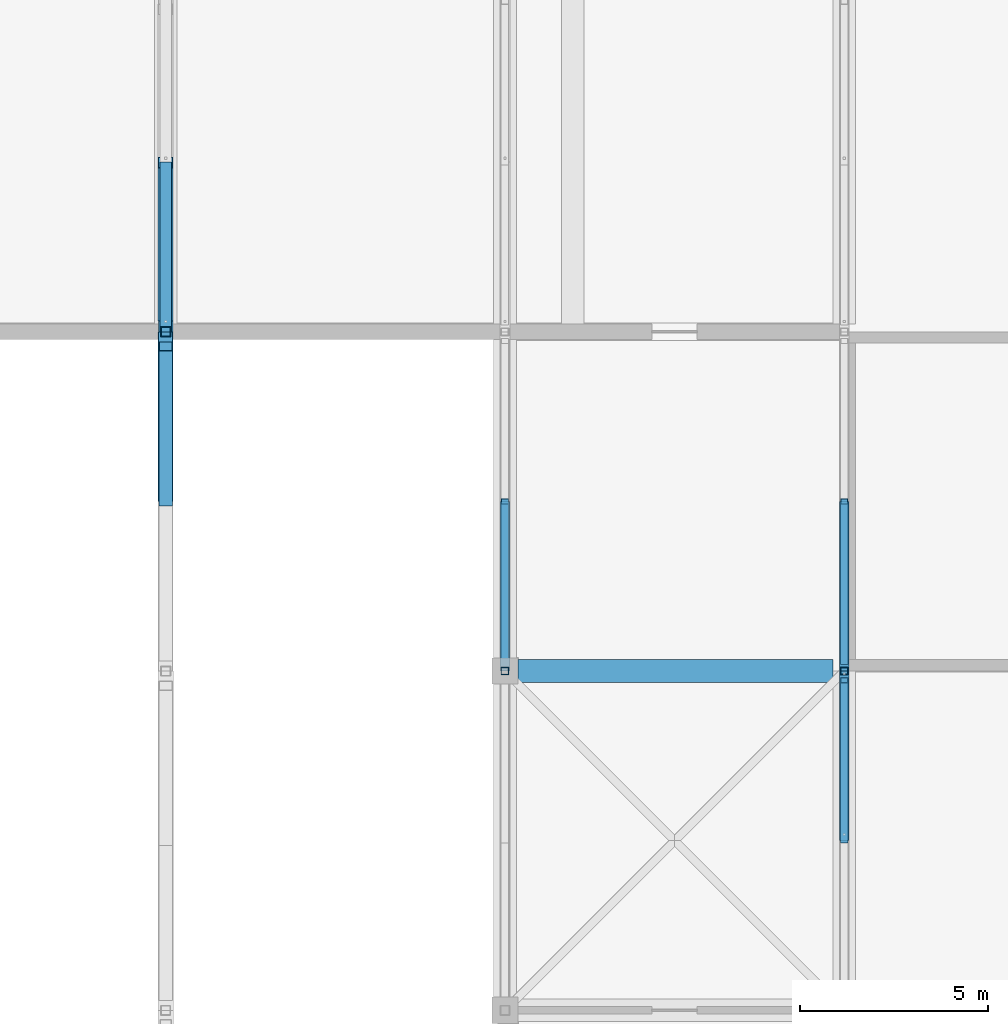
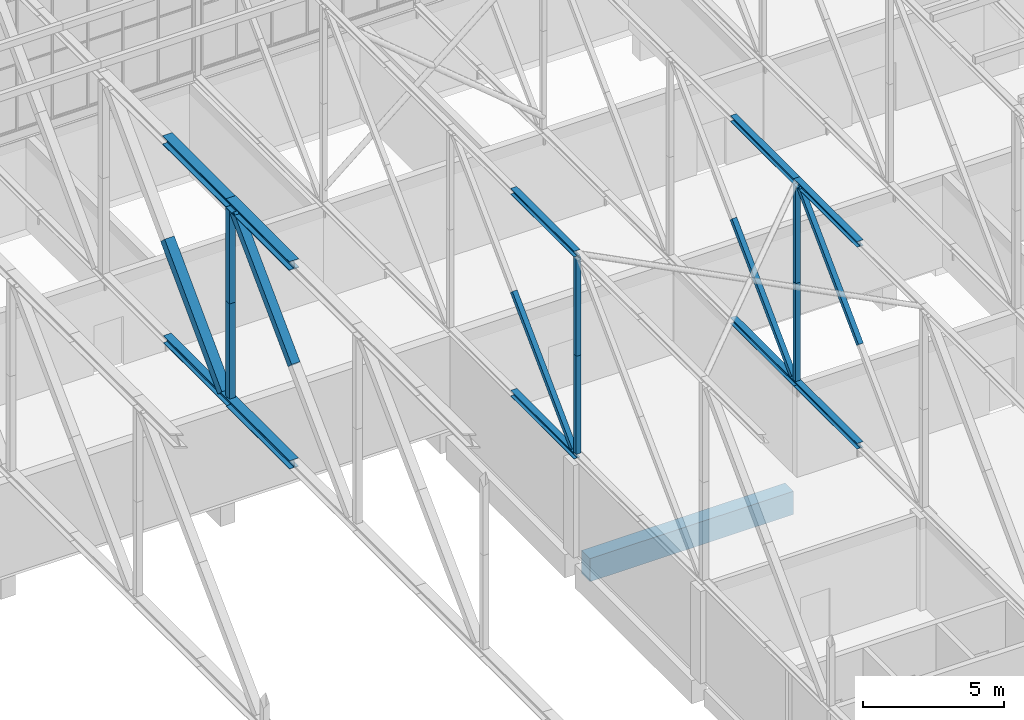
# One storey, part 79 of 646: 21 members, 1 beam.
"""IFC4 building model written with IfcOpenShell, lengths in metres."""

from ifc_helpers import new_model, si_unit, direction, frame, origin, origin_2d, place, context, subcontext, project, spatial, rectangle, hollow_rectangle, i_section, extrude, material, material_profile, profile_set, type_object, element, save


model = new_model("IFC4")

# Units and contexts
model_context = context("Model", 3, precision=1e-05, world=origin(), true_north=direction((0.0, 1.0)))
body_context = subcontext(model_context, "Body", "Model", "MODEL_VIEW")
ifc_project = project(units=[si_unit("LENGTHUNIT", "METRE"), si_unit("AREAUNIT", "SQUARE_METRE"), si_unit("VOLUMEUNIT", "CUBIC_METRE"), si_unit("PLANEANGLEUNIT", "RADIAN"), si_unit("MASSUNIT", "GRAM", prefix="KILO")], contexts=[model_context])

# Site, building, storey
site_placement = place(None, origin())
site = spatial("IfcSite", under=ifc_project, at=site_placement, CompositionType="ELEMENT")
building_placement = place(site_placement, origin())
building = spatial("IfcBuilding", under=site, at=building_placement, Name="Silverbay Arena", CompositionType="ELEMENT")
storey_placement = place(building_placement, frame((0.0, 0.0, 33.5)))
storey = spatial("IfcBuildingStorey", under=building, at=storey_placement, Name="L05", CompositionType="ELEMENT", Elevation=33.5)

# Members
ifc_material_1 = material(Name="Steel S355", Category="steel")
ifc_material_profile_1 = material_profile(ifc_material_1, i_section(OverallWidth=0.311279296875, OverallDepth=0.3271484375, WebThickness=0.015869140625, FlangeThickness=0.02490234375, at=origin_2d()), Name="UC 305x305x158")
ifc_profile_set_1 = profile_set([ifc_material_profile_1], Name="Steel S355")
member_type_1 = type_object("IfcMemberType", Name="Main-span bottom chord UC 305x305x158", PredefinedType="CHORD", material=ifc_profile_set_1)
member_1_placement = place(storey_placement, frame((153.0, 126.0, 4.16357421875), z_axis=(0.0, 1.0, 0.0), x_axis=(-1.0, 0.0, 0.0)))
element("IfcMember", 1, at=member_1_placement, inside=storey, type_object=member_type_1, Name="ROOF TRUSS 18 bottom chord 14a", PredefinedType="CHORD", context=body_context, shape_type="SweptSolid", body=[
    extrude(i_section(OverallWidth=0.311279296875, OverallDepth=0.3271484375, WebThickness=0.015869140625, FlangeThickness=0.02490234375, at=origin_2d()), origin(), (0.0, 0.0, 1.0), 4.5),
])
ifc_material_2 = material(Name="Steel S355", Category="steel")
ifc_material_profile_2 = material_profile(ifc_material_2, i_section(OverallWidth=0.37255859375, OverallDepth=0.3681640625, WebThickness=0.014404296875, FlangeThickness=0.023681640625, at=origin_2d()), Name="UC 356x368x177")
ifc_profile_set_2 = profile_set([ifc_material_profile_2], Name="Steel S355")
member_type_2 = type_object("IfcMemberType", Name="Main-span bottom chord UC 356x368x177", PredefinedType="CHORD", material=ifc_profile_set_2)
member_2_placement = place(storey_placement, frame((153.0, 121.5, 4.18408203125), z_axis=(0.0, 1.0, 0.0), x_axis=(-1.0, 0.0, 0.0)))
element("IfcMember", 2, at=member_2_placement, inside=storey, type_object=member_type_2, Name="ROOF TRUSS 18 bottom chord 13b", PredefinedType="CHORD", context=body_context, shape_type="SweptSolid", body=[
    extrude(i_section(OverallWidth=0.37255859375, OverallDepth=0.3681640625, WebThickness=0.014404296875, FlangeThickness=0.023681640625, at=origin_2d()), origin(), (0.0, 0.0, 1.0), 4.5),
])
ifc_material_3 = material(Name="Steel S355", Category="steel")
ifc_material_profile_3 = material_profile(ifc_material_3, i_section(OverallWidth=0.394775390625, OverallDepth=0.381103515625, WebThickness=0.018310546875, FlangeThickness=0.0302734375, at=origin_2d()), Name="UC 356x406x235")
ifc_profile_set_3 = profile_set([ifc_material_profile_3], Name="Steel S355")
member_type_3 = type_object("IfcMemberType", Name="Main-span top chord UC 356x406x235", PredefinedType="CHORD", material=ifc_profile_set_3)
member_3_placement = place(storey_placement, frame((153.0, 126.0, 12.8095703125), z_axis=(0.0, 1.0, 0.0), x_axis=(-1.0, 0.0, 0.0)))
element("IfcMember", 3, at=member_3_placement, inside=storey, type_object=member_type_3, Name="ROOF TRUSS 18 top chord 14a", PredefinedType="CHORD", context=body_context, shape_type="SweptSolid", body=[
    extrude(i_section(OverallWidth=0.394775390625, OverallDepth=0.381103515625, WebThickness=0.018310546875, FlangeThickness=0.0302734375, at=origin_2d()), origin(), (0.0, 0.0, 1.0), 4.5),
])
ifc_material_4 = material(Name="Steel S355", Category="steel")
ifc_material_profile_4 = material_profile(ifc_material_4, i_section(OverallWidth=0.39892578125, OverallDepth=0.3935546875, WebThickness=0.022705078125, FlangeThickness=0.03662109375, at=origin_2d()), Name="UC 356x406x287")
ifc_profile_set_4 = profile_set([ifc_material_profile_4], Name="Steel S355")
member_type_4 = type_object("IfcMemberType", Name="Main-span top chord UC 356x406x287", PredefinedType="CHORD", material=ifc_profile_set_4)
member_4_placement = place(storey_placement, frame((153.0, 121.5, 12.80322265625), z_axis=(0.0, 1.0, 0.0), x_axis=(-1.0, 0.0, 0.0)))
element("IfcMember", 4, at=member_4_placement, inside=storey, type_object=member_type_4, Name="ROOF TRUSS 18 top chord 13b", PredefinedType="CHORD", context=body_context, shape_type="SweptSolid", body=[
    extrude(i_section(OverallWidth=0.39892578125, OverallDepth=0.3935546875, WebThickness=0.022705078125, FlangeThickness=0.03662109375, at=origin_2d()), origin(), (0.0, 0.0, 1.0), 4.5),
])
ifc_material_5 = material(Name="Steel S355", Category="steel")
ifc_material_profile_5 = material_profile(ifc_material_5, hollow_rectangle(XDim=0.35009765625, YDim=0.35009765625, WallThickness=0.01416015625, at=origin_2d()), Name="SHS 350x350x14.2")
ifc_profile_set_5 = profile_set([ifc_material_profile_5], Name="Steel S355")
member_type_5 = type_object("IfcMemberType", Name="Main-span truss diagonal SHS 350x350x14.2", PredefinedType="BRACE", material=ifc_profile_set_5)
member_5_placement = place(storey_placement, frame((153.0, 125.61083984375, 12.6064453125), z_axis=(0.0, -0.706393232016, -0.707819611033), x_axis=(1.0, 0.0, 0.0)))
element("IfcMember", 5, at=member_5_placement, inside=storey, type_object=member_type_5, Name="ROOF TRUSS 18 diagonal 13a", PredefinedType="BRACE", context=body_context, shape_type="SweptSolid", body=[
    extrude(hollow_rectangle(XDim=0.35009765625, YDim=0.35009765625, WallThickness=0.01416015625, at=origin_2d()), origin(), (0.0, 0.0, 1.0), 5.819580078125),
])
ifc_material_6 = material(Name="Steel S355", Category="steel")
ifc_material_profile_6 = material_profile(ifc_material_6, hollow_rectangle(XDim=0.39990234375, YDim=0.39990234375, WallThickness=0.01416015625, at=origin_2d()), Name="SHS 400x400x14.2")
ifc_profile_set_6 = profile_set([ifc_material_profile_6], Name="Steel S355")
member_type_6 = type_object("IfcMemberType", Name="Main-span truss diagonal SHS 400x400x14.2", PredefinedType="BRACE", material=ifc_profile_set_6)
member_6_placement = place(storey_placement, frame((153.0, 130.489990234375, 8.47314453125), z_axis=(0.0, -0.700092430298, -0.714052231311), x_axis=(1.0, 0.0, 0.0)))
element("IfcMember", 6, at=member_6_placement, inside=storey, type_object=member_type_6, Name="ROOF TRUSS 18 diagonal 14b", PredefinedType="BRACE", context=body_context, shape_type="SweptSolid", body=[
    extrude(hollow_rectangle(XDim=0.39990234375, YDim=0.39990234375, WallThickness=0.01416015625, at=origin_2d()), origin(), (0.0, 0.0, 1.0), 5.806396484375),
])
ifc_material_7 = material(Name="Steel S355", Category="steel")
ifc_material_profile_7 = material_profile(ifc_material_7, hollow_rectangle(XDim=0.260009765625, YDim=0.260009765625, WallThickness=0.012451171875, at=origin_2d()), Name="SHS 260x260x12.5")
ifc_profile_set_7 = profile_set([ifc_material_profile_7], Name="Steel S355")
member_type_7 = type_object("IfcMemberType", Name="Main-span truss vertical SHS 260x260x12.5", PredefinedType="STRUT", material=ifc_profile_set_7)
for number, where, z_axis, x_axis, name in (
    (7, (153.0, 126.0, 4.3681640625), (0.0, 0.0, 1.0), (1.0, 0.0, 0.0), "ROOF TRUSS 18 vertical 14a"),
    (8, (153.0, 126.0, 8.4873046875), (0.0, 0.0, 1.0), (1.0, 0.0, 0.0), "ROOF TRUSS 18 vertical 14b"),
):
    element("IfcMember", number, at=place(storey_placement, frame(where, z_axis=z_axis, x_axis=x_axis)), inside=storey, type_object=member_type_7, Name=name, PredefinedType="STRUT", context=body_context, shape_type="SweptSolid", body=[
        extrude(hollow_rectangle(XDim=0.260009765625, YDim=0.260009765625, WallThickness=0.012451171875, at=origin_2d()), origin(), (0.0, 0.0, 1.0), 4.119140625),
    ])
ifc_material_8 = material(Name="Steel S355", Category="steel")
ifc_material_profile_8 = material_profile(ifc_material_8, i_section(OverallWidth=0.254638671875, OverallDepth=0.254150390625, WebThickness=0.008544921875, FlangeThickness=0.01416015625, at=origin_2d()), Name="UC 254x254x73")
ifc_profile_set_8 = profile_set([ifc_material_profile_8], Name="Steel S355")
member_type_8 = type_object("IfcMemberType", Name="Medium-span bottom chord UC 254x254x73", PredefinedType="CHORD", material=ifc_profile_set_8)
for number, where, z_axis, x_axis, name in (
    (9, (162.0, 117.0, 4.126953125), (0.0, 1.0, 0.0), (-1.0, 0.0, 0.0), "ROOF TRUSS 19 bottom chord 13a"),
    (10, (171.0, 112.5, 4.126953125), (0.0, 1.0, 0.0), (-1.0, 0.0, 0.0), "ROOF TRUSS 20 bottom chord 12b"),
    (11, (171.0, 117.0, 4.126953125), (0.0, 1.0, 0.0), (-1.0, 0.0, 0.0), "ROOF TRUSS 20 bottom chord 13a"),
):
    element("IfcMember", number, at=place(storey_placement, frame(where, z_axis=z_axis, x_axis=x_axis)), inside=storey, type_object=member_type_8, Name=name, PredefinedType="CHORD", context=body_context, shape_type="SweptSolid", body=[
        extrude(i_section(OverallWidth=0.254638671875, OverallDepth=0.254150390625, WebThickness=0.008544921875, FlangeThickness=0.01416015625, at=origin_2d()), origin(), (0.0, 0.0, 1.0), 4.5),
    ])
ifc_material_9 = material(Name="Steel S355", Category="steel")
ifc_material_profile_9 = material_profile(ifc_material_9, i_section(OverallWidth=0.254638671875, OverallDepth=0.254150390625, WebThickness=0.008544921875, FlangeThickness=0.01416015625, at=origin_2d()), Name="UC 254x254x73")
ifc_profile_set_9 = profile_set([ifc_material_profile_9], Name="Steel S355")
member_type_9 = type_object("IfcMemberType", Name="Medium-span top chord UC 254x254x73", PredefinedType="CHORD", material=ifc_profile_set_9)
for number, where, z_axis, x_axis, name in (
    (12, (162.0, 117.0, 12.873046875), (0.0, 1.0, 0.0), (-1.0, 0.0, 0.0), "ROOF TRUSS 19 top chord 13a"),
    (13, (171.0, 112.5, 12.873046875), (0.0, 1.0, 0.0), (-1.0, 0.0, 0.0), "ROOF TRUSS 20 top chord 12b"),
    (14, (171.0, 117.0, 12.873046875), (0.0, 1.0, 0.0), (-1.0, 0.0, 0.0), "ROOF TRUSS 20 top chord 13a"),
):
    element("IfcMember", number, at=place(storey_placement, frame(where, z_axis=z_axis, x_axis=x_axis)), inside=storey, type_object=member_type_9, Name=name, PredefinedType="CHORD", context=body_context, shape_type="SweptSolid", body=[
        extrude(i_section(OverallWidth=0.254638671875, OverallDepth=0.254150390625, WebThickness=0.008544921875, FlangeThickness=0.01416015625, at=origin_2d()), origin(), (0.0, 0.0, 1.0), 4.5),
    ])
ifc_material_10 = material(Name="Steel S355", Category="steel")
ifc_material_profile_10 = material_profile(ifc_material_10, hollow_rectangle(XDim=0.199951171875, YDim=0.199951171875, WallThickness=0.008056640625, at=origin_2d()), Name="SHS 200x200x8")
ifc_profile_set_10 = profile_set([ifc_material_profile_10], Name="Steel S355")
member_type_10 = type_object("IfcMemberType", Name="Medium-span truss diagonal SHS 200x200x8", PredefinedType="BRACE", material=ifc_profile_set_10)
member_7_placement = place(storey_placement, frame((162.0, 121.5, 8.5), z_axis=(0.0, -0.70781724692, -0.706395600894), x_axis=(1.0, 0.0, 0.0)))
element("IfcMember", 15, at=member_7_placement, inside=storey, type_object=member_type_10, Name="ROOF TRUSS 19 diagonal 13b", PredefinedType="BRACE", context=body_context, shape_type="SweptSolid", body=[
    extrude(hollow_rectangle(XDim=0.199951171875, YDim=0.199951171875, WallThickness=0.008056640625, at=origin_2d()), origin(), (0.0, 0.0, 1.0), 6.010498046875),
])
member_8_placement = place(storey_placement, frame((171.0, 116.75439453125, 12.745849609375), z_axis=(0.0, -0.706781281828, -0.707432130778), x_axis=(1.0, 0.0, 0.0)))
element("IfcMember", 16, at=member_8_placement, inside=storey, type_object=member_type_10, Name="ROOF TRUSS 20 diagonal 12a", PredefinedType="BRACE", context=body_context, shape_type="SweptSolid", body=[
    extrude(hollow_rectangle(XDim=0.199951171875, YDim=0.199951171875, WallThickness=0.008056640625, at=origin_2d()), origin(), (0.0, 0.0, 1.0), 6.001708984375),
])
member_9_placement = place(storey_placement, frame((171.0, 121.5, 8.5), z_axis=(0.0, -0.70781724692, -0.706395600894), x_axis=(1.0, 0.0, 0.0)))
element("IfcMember", 17, at=member_9_placement, inside=storey, type_object=member_type_10, Name="ROOF TRUSS 20 diagonal 13b", PredefinedType="BRACE", context=body_context, shape_type="SweptSolid", body=[
    extrude(hollow_rectangle(XDim=0.199951171875, YDim=0.199951171875, WallThickness=0.008056640625, at=origin_2d()), origin(), (0.0, 0.0, 1.0), 6.010498046875),
])
ifc_material_11 = material(Name="Steel S355", Category="steel")
ifc_material_profile_11 = material_profile(ifc_material_11, hollow_rectangle(XDim=0.199951171875, YDim=0.199951171875, WallThickness=0.008056640625, at=origin_2d()), Name="SHS 200x200x8")
ifc_profile_set_11 = profile_set([ifc_material_profile_11], Name="Steel S355")
member_type_11 = type_object("IfcMemberType", Name="Medium-span truss vertical SHS 200x200x8", PredefinedType="STRUT", material=ifc_profile_set_11)
for number, where, z_axis, x_axis, name in (
    (18, (162.0, 117.0, 4.254150390625), (0.0, 0.0, 1.0), (1.0, 0.0, 0.0), "ROOF TRUSS 19 vertical 13a"),
    (19, (162.0, 117.0, 8.5), (0.0, 0.0, 1.0), (1.0, 0.0, 0.0), "ROOF TRUSS 19 vertical 13b"),
    (20, (171.0, 117.0, 4.254150390625), (0.0, 0.0, 1.0), (1.0, 0.0, 0.0), "ROOF TRUSS 20 vertical 13a"),
    (21, (171.0, 117.0, 8.5), (0.0, 0.0, 1.0), (1.0, 0.0, 0.0), "ROOF TRUSS 20 vertical 13b"),
):
    element("IfcMember", number, at=place(storey_placement, frame(where, z_axis=z_axis, x_axis=x_axis)), inside=storey, type_object=member_type_11, Name=name, PredefinedType="STRUT", context=body_context, shape_type="SweptSolid", body=[
        extrude(hollow_rectangle(XDim=0.199951171875, YDim=0.199951171875, WallThickness=0.008056640625, at=origin_2d()), origin(), (0.0, 0.0, 1.0), 4.245849609375),
    ])

# Beam
ifc_material_12 = material(Name="Concrete Grade C45", Category="concrete")
ifc_material_profile_12 = material_profile(ifc_material_12, rectangle(XDim=0.60009765625, YDim=1.0, at=origin_2d()), Name="RC 600x1000")
ifc_profile_set_12 = profile_set([ifc_material_profile_12], Name="Concrete Grade C45")
beam_type = type_object("IfcBeamType", Name="RC beam 600x1000", PredefinedType="BEAM", material=ifc_profile_set_12)
beam_placement = place(storey_placement, frame((162.35009765625, 117.0, -0.800048828125), z_axis=(1.0, 0.0, 0.0), x_axis=(0.0, 1.0, 0.0)))
element("IfcBeam", 22, at=beam_placement, inside=storey, type_object=beam_type, Name="Floor beam L05 055", PredefinedType="BEAM", context=body_context, shape_type="SweptSolid", body=[
    extrude(rectangle(XDim=0.60009765625, YDim=1.0, at=origin_2d()), origin(), (0.0, 0.0, 1.0), 8.349853515625),
])

save(model, "model.ifc")
